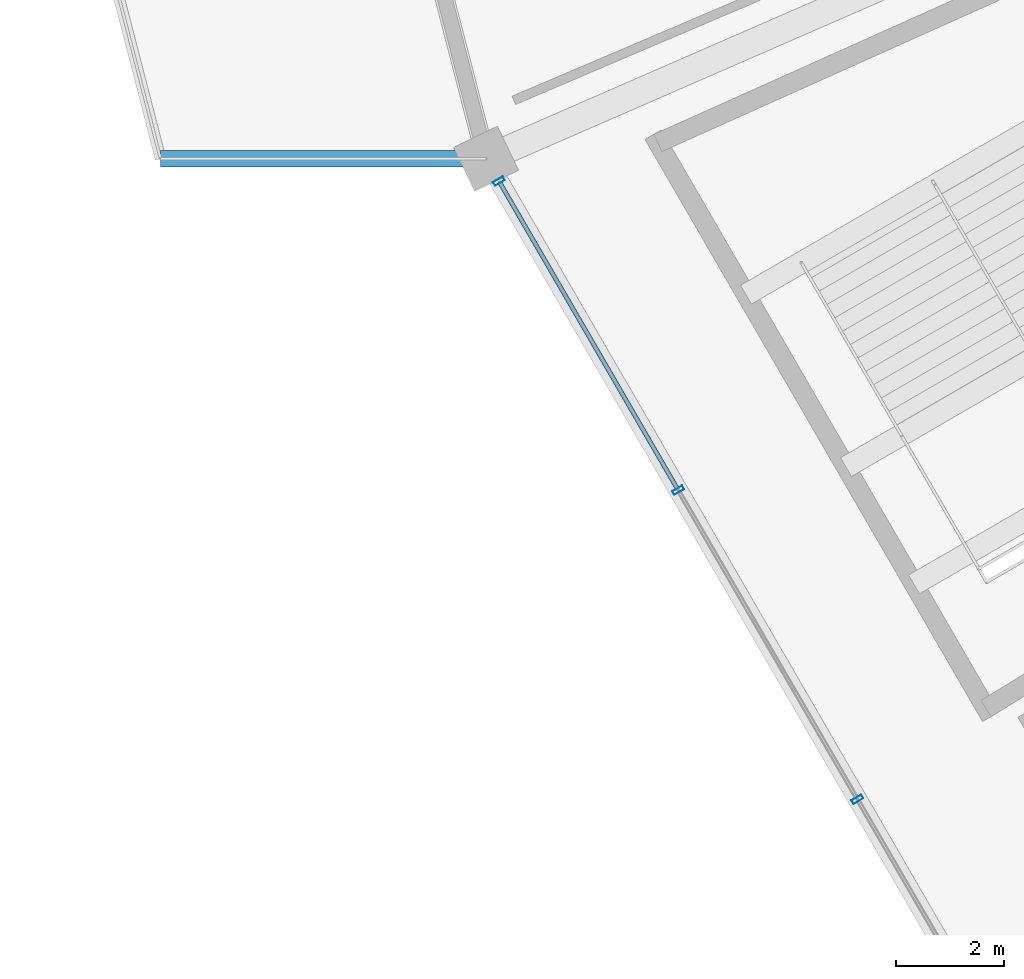
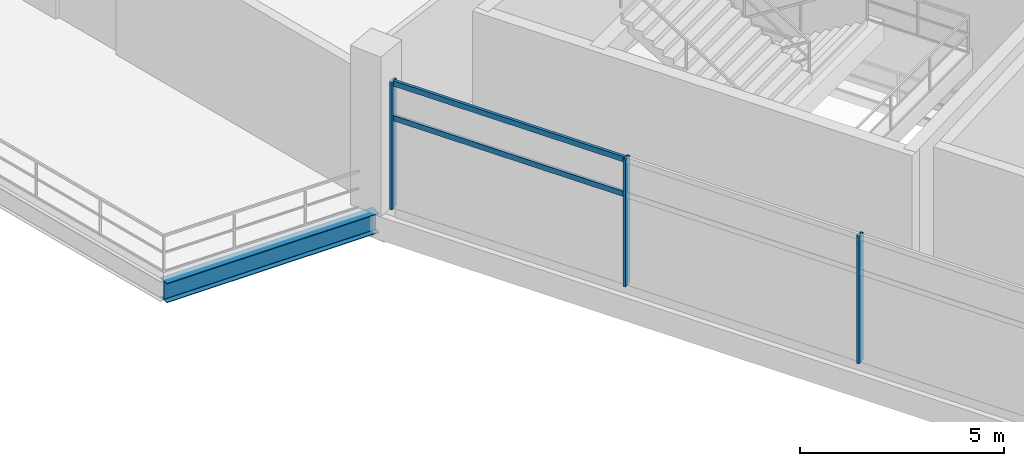
# One storey, part 7 of 171: 5 members, 1 beam, 1 element without a shape of its own.
"""IFC4 building model written with IfcOpenShell, lengths in metres."""

import ifcopenshell
import ifcopenshell.guid

model = None  # the IFC model being written
_history = None  # IfcOwnerHistory: only IFC2X3 demands one
_inside = {}  # id of a spatial element -> (the spatial element, [elements in it])
_under = {}  # id of a project, library or spatial element -> (it, [spatial elements below it])
_declared = {}  # id of a project -> (the project, [libraries it declares])
_typed = {}  # id of a type object -> (the type object, [elements of that type])
_made_of = {}  # id of a material, layer set ... -> (it, [elements and type objects made of it])


def new_model(schema):
    """Start an empty IFC model of exactly this schema.

    Asked for "IFC4X3", IfcOpenShell would pick the latest addendum, in which some entities
    have other attributes; the version numbers below select the first issue.
    IFC2X3 requires an IfcOwnerHistory on every rooted entity: one is made here for all.
    """
    global model, _history
    if schema == "IFC4X3":
        model = ifcopenshell.file(schema_version=(4, 3, 0, 0))
    else:
        model = ifcopenshell.file(schema=schema)
    _inside.clear()
    _under.clear()
    _declared.clear()
    _typed.clear()
    _made_of.clear()
    _history = None
    if model.schema == "IFC2X3":
        org = make("IfcOrganization", Name="unknown")
        user = make(
            "IfcPersonAndOrganization",
            ThePerson=make("IfcPerson", FamilyName="unknown"),
            TheOrganization=org,
        )
        app = make(
            "IfcApplication",
            ApplicationDeveloper=org,
            Version="unknown",
            ApplicationFullName="unknown",
            ApplicationIdentifier="unknown",
        )
        _history = make(
            "IfcOwnerHistory",
            OwningUser=user,
            OwningApplication=app,
            ChangeAction="ADDED",
            CreationDate=0,
        )
    return model


def make(cls, **values):
    """One entity of the class cls with the attributes given. An attribute that is None is left unset."""
    return model.create_entity(
        cls, **{name: value for name, value in values.items() if value is not None}
    )


def rooted(cls, **values):
    """An entity with a GlobalId (a new one), such as an element, a storey or a relation."""
    return make(cls, GlobalId=ifcopenshell.guid.new(), OwnerHistory=_history, **values)


def si_unit(unit_type, name, prefix=None):
    """IfcSIUnit, for example si_unit("LENGTHUNIT", "METRE", prefix="MILLI")."""
    return make("IfcSIUnit", UnitType=unit_type, Prefix=prefix, Name=name)


def assignment(units):
    """IfcUnitAssignment: the units of a project."""
    return None if units is None else make("IfcUnitAssignment", Units=units)


def point(xyz):
    """IfcCartesianPoint."""
    return None if xyz is None else make("IfcCartesianPoint", Coordinates=xyz)


def direction(xyz):
    """IfcDirection."""
    return None if xyz is None else make("IfcDirection", DirectionRatios=xyz)


def frame(location, z_axis=None, x_axis=None):
    """IfcAxis2Placement3D, a coordinate frame: its origin and axes. An axis left out is left unset."""
    return make(
        "IfcAxis2Placement3D",
        Location=point(location),
        Axis=direction(z_axis),
        RefDirection=direction(x_axis),
    )


def frame_2d(location, x_axis=None):
    """IfcAxis2Placement2D, a coordinate frame in the plane: its origin and x axis."""
    return make(
        "IfcAxis2Placement2D", Location=point(location), RefDirection=direction(x_axis)
    )


def origin():
    """The frame at (0, 0, 0) with its axes left unset."""
    return frame((0.0, 0.0, 0.0))


def origin_2d():
    """The frame at (0, 0) in the plane with its x axis left unset."""
    return frame_2d((0.0, 0.0))


def place(relative_to, where):
    """IfcLocalPlacement: puts the frame where relative to a parent placement (None: the world)."""
    return make(
        "IfcLocalPlacement", PlacementRelTo=relative_to, RelativePlacement=where
    )


def context(
    kind, dimensions, precision=None, world=None, true_north=None, identifier=None
):
    """IfcGeometricRepresentationContext, for example the 3D "Model" context."""
    return make(
        "IfcGeometricRepresentationContext",
        ContextIdentifier=identifier,
        ContextType=kind,
        CoordinateSpaceDimension=dimensions,
        Precision=precision,
        WorldCoordinateSystem=world,
        TrueNorth=true_north,
    )


def subcontext(parent, identifier, kind, view, scale=None):
    """IfcGeometricRepresentationSubContext, for example "Body" below "Model"."""
    return make(
        "IfcGeometricRepresentationSubContext",
        ContextIdentifier=identifier,
        ContextType=kind,
        ParentContext=parent,
        TargetScale=scale,
        TargetView=view,
    )


def project(units=None, contexts=None):
    """IfcProject with its units and contexts."""
    return rooted(
        "IfcProject",
        Name="project",
        RepresentationContexts=contexts,
        UnitsInContext=assignment(units),
    )


def spatial(cls, under=None, at=None, **own):
    """A site, building, storey or space (cls), placed at a placement, below another one or the project."""
    s = rooted(cls, ObjectPlacement=at, **own)
    if under is not None:
        _under.setdefault(under.id(), (under, []))[1].append(s)
    return s


def profile(cls, at=None, kind="AREA", **sizes):
    """A parametric profile (cls). Its sizes go by their IFC names, for example OverallWidth=200.0."""
    return make(cls, ProfileType=kind, Position=at, **sizes)


def hollow_rectangle(**sizes):
    """IfcRectangleHollowProfileDef."""
    return profile("IfcRectangleHollowProfileDef", **sizes)


def i_section(**sizes):
    """IfcIShapeProfileDef."""
    return profile("IfcIShapeProfileDef", **sizes)


def extrude(swept, where, along, depth):
    """IfcExtrudedAreaSolid: the profile swept, set in the frame where, extruded along a direction by depth."""
    return make(
        "IfcExtrudedAreaSolid",
        SweptArea=swept,
        Position=where,
        ExtrudedDirection=direction(along),
        Depth=depth,
    )


def shape(context_of_items, identifier, shape_type, items):
    """IfcShapeRepresentation: the items that make up one representation, for example the "Body"."""
    return make(
        "IfcShapeRepresentation",
        ContextOfItems=context_of_items,
        RepresentationIdentifier=identifier,
        RepresentationType=shape_type,
        Items=items,
    )


def material(Name=None, Category=None):
    """IfcMaterial."""
    return make("IfcMaterial", Name=Name, Category=Category)


def layer(
    of_material, thickness, ventilated=None, Name=None, Category=None, Priority=None
):
    """IfcMaterialLayer: one layer of a wall or slab, of a material (None: an air gap)."""
    return make(
        "IfcMaterialLayer",
        Material=of_material,
        LayerThickness=thickness,
        IsVentilated=ventilated,
        Name=Name,
        Category=Category,
        Priority=Priority,
    )


def layer_set(layers, Name=None):
    """IfcMaterialLayerSet."""
    return make("IfcMaterialLayerSet", MaterialLayers=layers, LayerSetName=Name)


def material_profile(
    of_material, cross_section, Name=None, Category=None, Priority=None
):
    """IfcMaterialProfile: a cross section and its material."""
    return make(
        "IfcMaterialProfile",
        Name=Name,
        Material=of_material,
        Profile=cross_section,
        Priority=Priority,
        Category=Category,
    )


def profile_set(profiles, Name=None, composite=None):
    """IfcMaterialProfileSet."""
    return make(
        "IfcMaterialProfileSet",
        Name=Name,
        MaterialProfiles=profiles,
        CompositeProfile=composite,
    )


def made_of(thing, what):
    """Note that an element or type object is made of a material, layer set ...; save() writes the relation."""
    if what is not None:
        _made_of.setdefault(what.id(), (what, []))[1].append(thing)
    return thing


def type_object(cls, material=None, **own):
    """A type object (cls), such as IfcWallType, which elements share."""
    return made_of(rooted(cls, **own), material)


def element(
    cls,
    number,
    at=None,
    inside=None,
    cuts=None,
    type_object=None,
    material=None,
    context=None,
    identifier="Body",
    shape_type=None,
    held_by="IfcProductDefinitionShape",
    body=None,
    shapes=None,
    **own,
):
    """One element of the class cls, such as IfcWall. Its Tag is "e" and its number.

    at: its placement. inside: the storey or other place that contains it. cuts: it is an
    opening in that element (IfcRelVoidsElement). A single representation is given by context,
    identifier, shape_type and body (its items); several are given by shapes. held_by: the class
    of the entity that holds the representations. save() writes the other relations.
    """
    e = rooted(cls, Tag="e%d" % number, ObjectPlacement=at, **own)
    if body is not None:
        shapes = [shape(context, identifier, shape_type, body)]
    if shapes is not None:
        e.Representation = make(held_by, Representations=shapes)
    if inside is not None:
        _inside.setdefault(inside.id(), (inside, []))[1].append(e)
    if cuts is not None:
        rooted(
            "IfcRelVoidsElement", RelatingBuildingElement=cuts, RelatedOpeningElement=e
        )
    if type_object is not None:
        _typed.setdefault(type_object.id(), (type_object, []))[1].append(e)
    return made_of(e, material)


def aggregate(whole, parts):
    """IfcRelAggregates: a whole, such as a stair, and the parts it consists of."""
    return rooted("IfcRelAggregates", RelatingObject=whole, RelatedObjects=parts)


def save(model, path):
    """Write the relations noted so far, then the file.

    IfcRelAggregates (storeys below a building ...), IfcRelContainedInSpatialStructure (elements
    in a storey), IfcRelDefinesByType, IfcRelAssociatesMaterial and IfcRelDeclares: one each for
    every whole, place, type object, material and project.
    """
    for whole, parts in _under.values():
        aggregate(whole, parts)
    for where, things in _inside.values():
        rooted(
            "IfcRelContainedInSpatialStructure",
            RelatedElements=things,
            RelatingStructure=where,
        )
    for kind, things in _typed.values():
        rooted("IfcRelDefinesByType", RelatedObjects=things, RelatingType=kind)
    for what, things in _made_of.values():
        rooted("IfcRelAssociatesMaterial", RelatedObjects=things, RelatingMaterial=what)
    for by, libraries in _declared.values():
        rooted("IfcRelDeclares", RelatingContext=by, RelatedDefinitions=libraries)
    model.write(path)


model = new_model("IFC4")

# Units and contexts
model_context = context("Model", 3, precision=1e-05, world=origin(), true_north=direction((0.0, 1.0)))
body_context = subcontext(model_context, "Body", "Model", "MODEL_VIEW")
ifc_project = project(units=[si_unit("LENGTHUNIT", "METRE"), si_unit("AREAUNIT", "SQUARE_METRE"), si_unit("VOLUMEUNIT", "CUBIC_METRE"), si_unit("PLANEANGLEUNIT", "RADIAN"), si_unit("MASSUNIT", "GRAM", prefix="KILO")], contexts=[model_context])

# Site, building, storey
site_placement = place(None, origin())
site = spatial("IfcSite", under=ifc_project, at=site_placement, CompositionType="ELEMENT")
building_placement = place(site_placement, origin())
building = spatial("IfcBuilding", under=site, at=building_placement, Name="Kazemori Nagisa Stadium", CompositionType="ELEMENT")
storey_placement = place(building_placement, frame((0.0, 0.0, 15.639892578125)))
storey = spatial("IfcBuildingStorey", under=building, at=storey_placement, Name="L03", CompositionType="ELEMENT", Elevation=15.639892578125)

# Beam
ifc_material_1 = material(Name="Steel SN490B", Category="steel")
ifc_material_profile_1 = material_profile(ifc_material_1, i_section(OverallWidth=0.300048828125, OverallDepth=0.587890625, WebThickness=0.011962890625, FlangeThickness=0.02001953125, FilletRadius=0.012939453125, at=origin_2d()), Name="H-588x300x12x20")
ifc_profile_set_1 = profile_set([ifc_material_profile_1], Name="Steel SN490B")
beam_type = type_object("IfcBeamType", Name="Beam_BG-H588", PredefinedType="BEAM", material=ifc_profile_set_1)
beam_placement = place(storey_placement, frame((34.114990234375, 63.25048828125, -0.533935546875), z_axis=(-1.0, 0.0, 0.0), x_axis=(0.0, -1.0, 0.0)))
element("IfcBeam", 1, at=beam_placement, inside=storey, type_object=beam_type, Name="Boulevard radial girder BG-H588 L03 R4-17", PredefinedType="BEAM", context=body_context, shape_type="SweptSolid", body=[
    extrude(i_section(OverallWidth=0.300048828125, OverallDepth=0.587890625, WebThickness=0.011962890625, FlangeThickness=0.02001953125, FilletRadius=0.012939453125, at=origin_2d()), origin(), (0.0, 0.0, 1.0), 6.0),
])

# Curtain wall, members
ifc_material_2 = material(Name="Anodised aluminium 6063-T5", Category="aluminium")
ifc_layer = layer(ifc_material_2, 0.2099609375, Name="Anodised aluminium 6063-T5", Category="aluminium")
ifc_layer_set = layer_set([ifc_layer], Name="Anodised aluminium 6063-T5")
curtain_wall_type = type_object("IfcCurtainWallType", Name="CW_L03R3_99", PredefinedType="USERDEFINED", material=ifc_layer_set)
curtain_wall_placement = place(storey_placement, origin())
curtain_wall = element("IfcCurtainWall", 2, at=curtain_wall_placement, inside=storey, type_object=curtain_wall_type, Name="Unitised curtain wall CW-L03R3-99 L03", ObjectType="UNITISED CURTAIN WALL", PredefinedType="USERDEFINED")
ifc_material_3 = material(Name="Aluminium 6063-T5 anodised", Category="aluminium")
ifc_material_profile_2 = material_profile(ifc_material_3, hollow_rectangle(XDim=0.080078125, YDim=0.2099609375, WallThickness=0.0048828125, at=origin_2d()), Name="ALU-MULL-80x210x5")
ifc_profile_set_2 = profile_set([ifc_material_profile_2], Name="Aluminium 6063-T5 anodised")
member_type_1 = type_object("IfcMemberType", Name="Mullion_M02", PredefinedType="MULLION", material=ifc_profile_set_2)
member_1_placement = place(storey_placement, frame((34.353271484375, 62.839599609375, 0.0), z_axis=(0.0, 0.0, 1.0), x_axis=(0.501611590054, -0.865092950337, 0.0)))
member_1 = element("IfcMember", 3, at=member_1_placement, type_object=member_type_1, Name="Curtain wall mullion CW-L03R3-99-M1", PredefinedType="MULLION", context=body_context, shape_type="SweptSolid", body=[
    extrude(hollow_rectangle(XDim=0.080078125, YDim=0.2099609375, WallThickness=0.0048828125, at=origin_2d()), origin(), (0.0, 0.0, 1.0), 3.81005859375),
])
member_2_placement = place(storey_placement, frame((37.65771484375, 57.140869140625, 0.0), z_axis=(0.0, 0.0, 1.0), x_axis=(0.501611590054, -0.865092950337, 0.0)))
member_2 = element("IfcMember", 4, at=member_2_placement, type_object=member_type_1, Name="Curtain wall mullion CW-L03R3-99-M2", PredefinedType="MULLION", context=body_context, shape_type="SweptSolid", body=[
    extrude(hollow_rectangle(XDim=0.080078125, YDim=0.2099609375, WallThickness=0.0048828125, at=origin_2d()), origin(), (0.0, 0.0, 1.0), 3.81005859375),
])
member_3_placement = place(storey_placement, frame((40.9619140625, 51.442138671875, 0.0), z_axis=(0.0, 0.0, 1.0), x_axis=(0.501611590054, -0.865092950337, 0.0)))
member_3 = element("IfcMember", 5, at=member_3_placement, type_object=member_type_1, Name="Curtain wall mullion CW-L03R3-99-M3", PredefinedType="MULLION", context=body_context, shape_type="SweptSolid", body=[
    extrude(hollow_rectangle(XDim=0.080078125, YDim=0.2099609375, WallThickness=0.0048828125, at=origin_2d()), origin(), (0.0, 0.0, 1.0), 3.81005859375),
])
ifc_material_profile_3 = material_profile(ifc_material_3, hollow_rectangle(XDim=0.080078125, YDim=0.159912109375, WallThickness=0.00390625, at=origin_2d()), Name="ALU-TRAN-80x160x4")
ifc_profile_set_3 = profile_set([ifc_material_profile_3], Name="Aluminium 6063-T5 anodised")
member_type_2 = type_object("IfcMemberType", Name="Transom_T02", PredefinedType="USERDEFINED", material=ifc_profile_set_3)
member_4_placement = place(storey_placement, frame((34.36328125, 62.822265625, 2.705322265625), z_axis=(0.501634382126, -0.865079734284, 0.0), x_axis=(0.865079734284, 0.501634382126, 0.0)))
member_4 = element("IfcMember", 6, at=member_4_placement, type_object=member_type_2, Name="Curtain wall transom CW-L03R3-99-T1-mid", ObjectType="TRANSOM", PredefinedType="USERDEFINED", context=body_context, shape_type="SweptSolid", body=[
    extrude(hollow_rectangle(XDim=0.080078125, YDim=0.159912109375, WallThickness=0.00390625, at=origin_2d()), origin(), (0.0, 0.0, 1.0), 6.54736328125),
])
member_5_placement = place(storey_placement, frame((34.36328125, 62.822265625, 3.739990234375), z_axis=(0.501634382126, -0.865079734284, 0.0), x_axis=(0.865079734284, 0.501634382126, 0.0)))
member_5 = element("IfcMember", 7, at=member_5_placement, type_object=member_type_2, Name="Curtain wall transom CW-L03R3-99-T1-head", ObjectType="TRANSOM", PredefinedType="USERDEFINED", context=body_context, shape_type="SweptSolid", body=[
    extrude(hollow_rectangle(XDim=0.080078125, YDim=0.159912109375, WallThickness=0.00390625, at=origin_2d()), origin(), (0.0, 0.0, 1.0), 6.54736328125),
])
aggregate(curtain_wall, [member_1, member_2, member_3, member_4, member_5])

save(model, "model.ifc")
